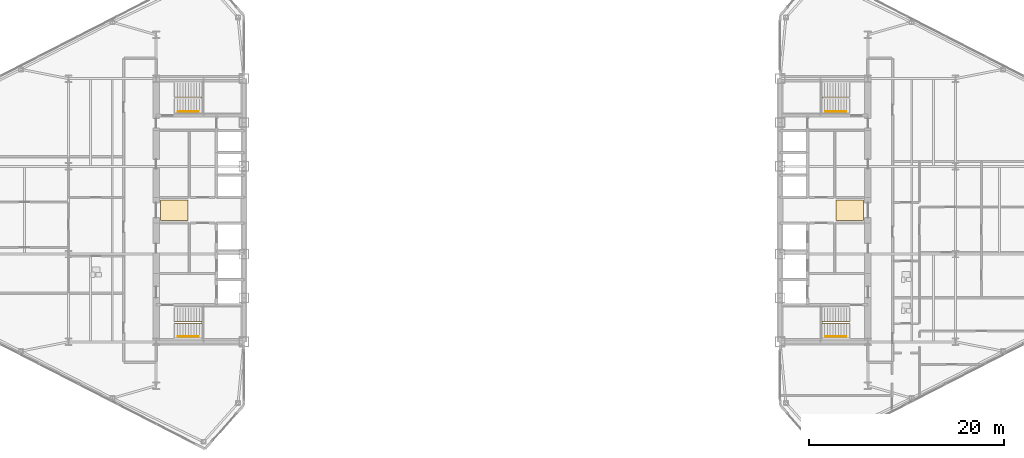
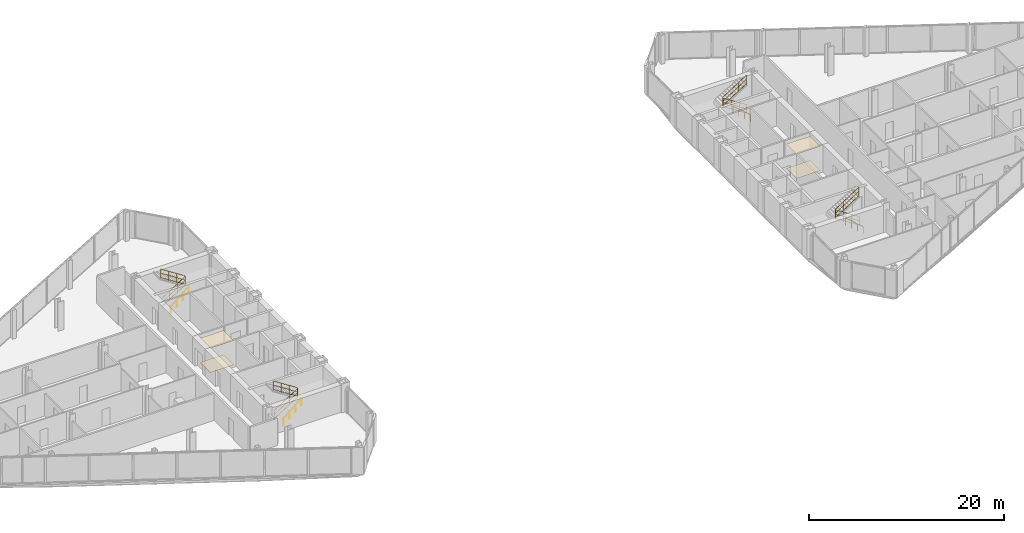
# One storey, part 22 of 23: 8 railings, 4 coverings.
"""IFC4 building model written with IfcOpenShell, lengths in metres."""

import ifcopenshell
import ifcopenshell.guid

model = None  # the IFC model being written
_history = None  # IfcOwnerHistory: only IFC2X3 demands one
_inside = {}  # id of a spatial element -> (the spatial element, [elements in it])
_under = {}  # id of a project, library or spatial element -> (it, [spatial elements below it])
_declared = {}  # id of a project -> (the project, [libraries it declares])
_typed = {}  # id of a type object -> (the type object, [elements of that type])
_made_of = {}  # id of a material, layer set ... -> (it, [elements and type objects made of it])


def new_model(schema):
    """Start an empty IFC model of exactly this schema.

    Asked for "IFC4X3", IfcOpenShell would pick the latest addendum, in which some entities
    have other attributes; the version numbers below select the first issue.
    IFC2X3 requires an IfcOwnerHistory on every rooted entity: one is made here for all.
    """
    global model, _history
    if schema == "IFC4X3":
        model = ifcopenshell.file(schema_version=(4, 3, 0, 0))
    else:
        model = ifcopenshell.file(schema=schema)
    _inside.clear()
    _under.clear()
    _declared.clear()
    _typed.clear()
    _made_of.clear()
    _history = None
    if model.schema == "IFC2X3":
        org = make("IfcOrganization", Name="unknown")
        user = make(
            "IfcPersonAndOrganization",
            ThePerson=make("IfcPerson", FamilyName="unknown"),
            TheOrganization=org,
        )
        app = make(
            "IfcApplication",
            ApplicationDeveloper=org,
            Version="unknown",
            ApplicationFullName="unknown",
            ApplicationIdentifier="unknown",
        )
        _history = make(
            "IfcOwnerHistory",
            OwningUser=user,
            OwningApplication=app,
            ChangeAction="ADDED",
            CreationDate=0,
        )
    return model


def make(cls, **values):
    """One entity of the class cls with the attributes given. An attribute that is None is left unset."""
    return model.create_entity(
        cls, **{name: value for name, value in values.items() if value is not None}
    )


def rooted(cls, **values):
    """An entity with a GlobalId (a new one), such as an element, a storey or a relation."""
    return make(cls, GlobalId=ifcopenshell.guid.new(), OwnerHistory=_history, **values)


def si_unit(unit_type, name, prefix=None):
    """IfcSIUnit, for example si_unit("LENGTHUNIT", "METRE", prefix="MILLI")."""
    return make("IfcSIUnit", UnitType=unit_type, Prefix=prefix, Name=name)


def assignment(units):
    """IfcUnitAssignment: the units of a project."""
    return None if units is None else make("IfcUnitAssignment", Units=units)


def point(xyz):
    """IfcCartesianPoint."""
    return None if xyz is None else make("IfcCartesianPoint", Coordinates=xyz)


def direction(xyz):
    """IfcDirection."""
    return None if xyz is None else make("IfcDirection", DirectionRatios=xyz)


def frame(location, z_axis=None, x_axis=None):
    """IfcAxis2Placement3D, a coordinate frame: its origin and axes. An axis left out is left unset."""
    return make(
        "IfcAxis2Placement3D",
        Location=point(location),
        Axis=direction(z_axis),
        RefDirection=direction(x_axis),
    )


def frame_2d(location, x_axis=None):
    """IfcAxis2Placement2D, a coordinate frame in the plane: its origin and x axis."""
    return make(
        "IfcAxis2Placement2D", Location=point(location), RefDirection=direction(x_axis)
    )


def origin():
    """The frame at (0, 0, 0) with its axes left unset."""
    return frame((0.0, 0.0, 0.0))


def origin_2d():
    """The frame at (0, 0) in the plane with its x axis left unset."""
    return frame_2d((0.0, 0.0))


def place(relative_to, where):
    """IfcLocalPlacement: puts the frame where relative to a parent placement (None: the world)."""
    return make(
        "IfcLocalPlacement", PlacementRelTo=relative_to, RelativePlacement=where
    )


def context(
    kind, dimensions, precision=None, world=None, true_north=None, identifier=None
):
    """IfcGeometricRepresentationContext, for example the 3D "Model" context."""
    return make(
        "IfcGeometricRepresentationContext",
        ContextIdentifier=identifier,
        ContextType=kind,
        CoordinateSpaceDimension=dimensions,
        Precision=precision,
        WorldCoordinateSystem=world,
        TrueNorth=true_north,
    )


def subcontext(parent, identifier, kind, view, scale=None):
    """IfcGeometricRepresentationSubContext, for example "Body" below "Model"."""
    return make(
        "IfcGeometricRepresentationSubContext",
        ContextIdentifier=identifier,
        ContextType=kind,
        ParentContext=parent,
        TargetScale=scale,
        TargetView=view,
    )


def project(units=None, contexts=None):
    """IfcProject with its units and contexts."""
    return rooted(
        "IfcProject",
        Name="project",
        RepresentationContexts=contexts,
        UnitsInContext=assignment(units),
    )


def spatial(cls, under=None, at=None, **own):
    """A site, building, storey or space (cls), placed at a placement, below another one or the project."""
    s = rooted(cls, ObjectPlacement=at, **own)
    if under is not None:
        _under.setdefault(under.id(), (under, []))[1].append(s)
    return s


def polyline(points):
    """IfcPolyline through the points."""
    return make("IfcPolyline", Points=[point(p) for p in points])


def profile(cls, at=None, kind="AREA", **sizes):
    """A parametric profile (cls). Its sizes go by their IFC names, for example OverallWidth=200.0."""
    return make(cls, ProfileType=kind, Position=at, **sizes)


def circle(**sizes):
    """IfcCircleProfileDef."""
    return profile("IfcCircleProfileDef", **sizes)


def outline(outer, holes=None, kind="AREA"):
    """IfcArbitraryClosedProfileDef: a profile drawn as a closed curve; with holes, ...WithVoids."""
    if holes is None:
        return make("IfcArbitraryClosedProfileDef", ProfileType=kind, OuterCurve=outer)
    return make(
        "IfcArbitraryProfileDefWithVoids",
        ProfileType=kind,
        OuterCurve=outer,
        InnerCurves=holes,
    )


def extrude(swept, where, along, depth):
    """IfcExtrudedAreaSolid: the profile swept, set in the frame where, extruded along a direction by depth."""
    return make(
        "IfcExtrudedAreaSolid",
        SweptArea=swept,
        Position=where,
        ExtrudedDirection=direction(along),
        Depth=depth,
    )


def shape(context_of_items, identifier, shape_type, items):
    """IfcShapeRepresentation: the items that make up one representation, for example the "Body"."""
    return make(
        "IfcShapeRepresentation",
        ContextOfItems=context_of_items,
        RepresentationIdentifier=identifier,
        RepresentationType=shape_type,
        Items=items,
    )


def material(Name=None, Category=None):
    """IfcMaterial."""
    return make("IfcMaterial", Name=Name, Category=Category)


def layer(
    of_material, thickness, ventilated=None, Name=None, Category=None, Priority=None
):
    """IfcMaterialLayer: one layer of a wall or slab, of a material (None: an air gap)."""
    return make(
        "IfcMaterialLayer",
        Material=of_material,
        LayerThickness=thickness,
        IsVentilated=ventilated,
        Name=Name,
        Category=Category,
        Priority=Priority,
    )


def layer_set(layers, Name=None):
    """IfcMaterialLayerSet."""
    return make("IfcMaterialLayerSet", MaterialLayers=layers, LayerSetName=Name)


def made_of(thing, what):
    """Note that an element or type object is made of a material, layer set ...; save() writes the relation."""
    if what is not None:
        _made_of.setdefault(what.id(), (what, []))[1].append(thing)
    return thing


def type_object(cls, material=None, **own):
    """A type object (cls), such as IfcWallType, which elements share."""
    return made_of(rooted(cls, **own), material)


def element(
    cls,
    number,
    at=None,
    inside=None,
    cuts=None,
    type_object=None,
    material=None,
    context=None,
    identifier="Body",
    shape_type=None,
    held_by="IfcProductDefinitionShape",
    body=None,
    shapes=None,
    **own,
):
    """One element of the class cls, such as IfcWall. Its Tag is "e" and its number.

    at: its placement. inside: the storey or other place that contains it. cuts: it is an
    opening in that element (IfcRelVoidsElement). A single representation is given by context,
    identifier, shape_type and body (its items); several are given by shapes. held_by: the class
    of the entity that holds the representations. save() writes the other relations.
    """
    e = rooted(cls, Tag="e%d" % number, ObjectPlacement=at, **own)
    if body is not None:
        shapes = [shape(context, identifier, shape_type, body)]
    if shapes is not None:
        e.Representation = make(held_by, Representations=shapes)
    if inside is not None:
        _inside.setdefault(inside.id(), (inside, []))[1].append(e)
    if cuts is not None:
        rooted(
            "IfcRelVoidsElement", RelatingBuildingElement=cuts, RelatedOpeningElement=e
        )
    if type_object is not None:
        _typed.setdefault(type_object.id(), (type_object, []))[1].append(e)
    return made_of(e, material)


def aggregate(whole, parts):
    """IfcRelAggregates: a whole, such as a stair, and the parts it consists of."""
    return rooted("IfcRelAggregates", RelatingObject=whole, RelatedObjects=parts)


def save(model, path):
    """Write the relations noted so far, then the file.

    IfcRelAggregates (storeys below a building ...), IfcRelContainedInSpatialStructure (elements
    in a storey), IfcRelDefinesByType, IfcRelAssociatesMaterial and IfcRelDeclares: one each for
    every whole, place, type object, material and project.
    """
    for whole, parts in _under.values():
        aggregate(whole, parts)
    for where, things in _inside.values():
        rooted(
            "IfcRelContainedInSpatialStructure",
            RelatedElements=things,
            RelatingStructure=where,
        )
    for kind, things in _typed.values():
        rooted("IfcRelDefinesByType", RelatedObjects=things, RelatingType=kind)
    for what, things in _made_of.values():
        rooted("IfcRelAssociatesMaterial", RelatedObjects=things, RelatingMaterial=what)
    for by, libraries in _declared.values():
        rooted("IfcRelDeclares", RelatingContext=by, RelatedDefinitions=libraries)
    model.write(path)


model = new_model("IFC4")

# Units and contexts
model_context = context("Model", 3, precision=1e-05, world=origin(), true_north=direction((0.0, 1.0)))
body_context = subcontext(model_context, "Body", "Model", "MODEL_VIEW")
ifc_project = project(units=[si_unit("LENGTHUNIT", "METRE"), si_unit("AREAUNIT", "SQUARE_METRE"), si_unit("VOLUMEUNIT", "CUBIC_METRE"), si_unit("PLANEANGLEUNIT", "RADIAN"), si_unit("MASSUNIT", "GRAM", prefix="KILO")], contexts=[model_context])

# Site, building, storey
site_placement = place(None, origin())
site = spatial("IfcSite", under=ifc_project, at=site_placement, CompositionType="ELEMENT")
building_placement = place(site_placement, origin())
building = spatial("IfcBuilding", under=site, at=building_placement, Name="Seokmaru Belvedere", CompositionType="ELEMENT")
storey_placement = place(building_placement, frame((0.0, 0.0, 128.39990234375)))
storey = spatial("IfcBuildingStorey", under=building, at=storey_placement, Name="L34", CompositionType="ELEMENT", Elevation=128.39990234375)

# Coverings
ifc_material_1 = material(Name="Engineered White Oak Timber", Category="wood")
ifc_layer_1 = layer(ifc_material_1, 0.02197265625)
ifc_layer_set_1 = layer_set([ifc_layer_1], Name="Engineered White Oak Timber")
covering_type_1 = type_object("IfcCoveringType", Name="Engineered Oak Residence Floor Finish 22", PredefinedType="FLOORING", material=ifc_layer_set_1)
covering_1_placement = place(storey_placement, origin())
element("IfcCovering", 1, at=covering_1_placement, inside=storey, type_object=covering_type_1, Name="L34 W Foyer Floor Finish", PredefinedType="FLOORING", context=body_context, shape_type="SweptSolid", body=[
    extrude(outline(polyline([(-36.050048828125, -1.050048828125), (-33.25, -1.050048828125), (-33.25, 1.050048828125), (-36.050048828125, 1.050048828125), (-36.050048828125, -1.050048828125)])), origin(), (0.0, 0.0, 1.0), 0.022216796875),
])
covering_2_placement = place(storey_placement, origin())
element("IfcCovering", 2, at=covering_2_placement, inside=storey, type_object=covering_type_1, Name="L34 E Foyer Floor Finish", PredefinedType="FLOORING", context=body_context, shape_type="SweptSolid", body=[
    extrude(outline(polyline([(33.25, -1.050048828125), (36.050048828125, -1.050048828125), (36.050048828125, 1.050048828125), (33.25, 1.050048828125), (33.25, -1.050048828125)])), origin(), (0.0, 0.0, 1.0), 0.022216796875),
])
ifc_material_2 = material(Name="Fire-Rated Gypsum Shaftwall")
ifc_layer_2 = layer(ifc_material_2, 0.02490234375)
ifc_layer_set_2 = layer_set([ifc_layer_2], Name="Fire-Rated Gypsum Shaftwall")
covering_type_2 = type_object("IfcCoveringType", Name="Perforated Acoustic Gypsum Suspended Ceiling 25", PredefinedType="CEILING", material=ifc_layer_set_2)
covering_3_placement = place(storey_placement, frame((0.0, 0.0, 3.030029296875)))
element("IfcCovering", 3, at=covering_3_placement, inside=storey, type_object=covering_type_2, Name="L34 W Lift Foyer Acoustic Ceiling", PredefinedType="CEILING", context=body_context, shape_type="SweptSolid", body=[
    extrude(outline(polyline([(-36.050048828125, -1.050048828125), (-33.25, -1.050048828125), (-33.25, 1.050048828125), (-36.050048828125, 1.050048828125), (-36.050048828125, -1.050048828125)])), origin(), (0.0, 0.0, 1.0), 0.025146484375),
])
covering_4_placement = place(storey_placement, frame((0.0, 0.0, 3.030029296875)))
element("IfcCovering", 4, at=covering_4_placement, inside=storey, type_object=covering_type_2, Name="L34 E Lift Foyer Acoustic Ceiling", PredefinedType="CEILING", context=body_context, shape_type="SweptSolid", body=[
    extrude(outline(polyline([(33.25, -1.050048828125), (36.050048828125, -1.050048828125), (36.050048828125, 1.050048828125), (33.25, 1.050048828125), (33.25, -1.050048828125)])), origin(), (0.0, 0.0, 1.0), 0.025146484375),
])

# Railings
ifc_material_3 = material(Name="Stainless Steel 316", Category="steel")
railing_type_1 = type_object("IfcRailingType", Name="Stainless Steel Wall and Flight Handrail 900", PredefinedType="HANDRAIL", material=ifc_material_3)
for number, where, name in (
    (5, (-34.25, -12.949951171875, 0.0), "L34 Stair ST-W1 Wall Handrail"),
    (6, (-34.25, 10.110107421875, 0.0), "L34 Stair ST-W2 Wall Handrail"),
):
    element("IfcRailing", number, at=place(storey_placement, frame(where)), inside=storey, type_object=railing_type_1, Name=name, PredefinedType="HANDRAIL", context=body_context, shape_type="SweptSolid", body=[
        extrude(circle(Radius=0.02392578125, at=origin_2d()), frame((0.0, 0.0, 0.8759765625), z_axis=(0.759262832861, 0.0, 0.650784104474), x_axis=(0.0, 1.0, 0.0)), (0.0, 0.0, 1.0), 2.765869140625),
        extrude(circle(Radius=0.02099609375, at=origin_2d()), origin(), (0.0, 0.0, 1.0), 0.851806640625),
        extrude(circle(Radius=0.02099609375, at=origin_2d()), frame((0.699951171875, 0.0, 0.60009765625)), (0.0, 0.0, 1.0), 0.851806640625),
        extrude(circle(Radius=0.02099609375, at=origin_2d()), frame((1.400146484375, 0.0, 1.199951171875)), (0.0, 0.0, 1.0), 0.851806640625),
        extrude(circle(Radius=0.02099609375, at=origin_2d()), frame((2.10009765625, 0.0, 1.800048828125)), (0.0, 0.0, 1.0), 0.851806640625),
    ])
for number, where, name in (
    (7, (34.25, -12.949951171875, 0.0), "L34 Stair ST-E1 Wall Handrail"),
    (8, (34.25, 10.110107421875, 0.0), "L34 Stair ST-E2 Wall Handrail"),
):
    element("IfcRailing", number, at=place(storey_placement, frame(where)), inside=storey, type_object=railing_type_1, Name=name, PredefinedType="HANDRAIL", context=body_context, shape_type="SweptSolid", body=[
        extrude(circle(Radius=0.02392578125, at=origin_2d()), frame((0.0, 0.0, 0.8759765625), z_axis=(-0.759262832861, 0.0, 0.650784104474), x_axis=(0.0, -1.0, 0.0)), (0.0, 0.0, 1.0), 2.765869140625),
        extrude(circle(Radius=0.02099609375, at=origin_2d()), origin(), (0.0, 0.0, 1.0), 0.851806640625),
        extrude(circle(Radius=0.02099609375, at=origin_2d()), frame((-0.699951171875, 0.0, 0.60009765625)), (0.0, 0.0, 1.0), 0.851806640625),
        extrude(circle(Radius=0.02099609375, at=origin_2d()), frame((-1.400146484375, 0.0, 1.199951171875)), (0.0, 0.0, 1.0), 0.851806640625),
        extrude(circle(Radius=0.02099609375, at=origin_2d()), frame((-2.10009765625, 0.0, 1.800048828125)), (0.0, 0.0, 1.0), 0.851806640625),
    ])
railing_type_2 = type_object("IfcRailingType", Name="Stair Well and Atrium Steel Guardrail 1200", PredefinedType="GUARDRAIL", material=ifc_material_3)
railing_1_placement = place(storey_placement, frame((-34.60009765625, -11.60009765625, 0.0)))
element("IfcRailing", 9, at=railing_1_placement, inside=storey, type_object=railing_type_2, Name="L34 Stair ST-W1 Inner Well Guardrail", PredefinedType="GUARDRAIL", context=body_context, shape_type="SweptSolid", body=[
    extrude(circle(Radius=0.02392578125, at=origin_2d()), frame((0.0, 0.0, 1.17578125), z_axis=(0.841176092368, 0.0, 0.540761298198), x_axis=(0.0, 1.0, 0.0)), (0.0, 0.0, 1.0), 3.32861328125),
    extrude(circle(Radius=0.02392578125, at=origin_2d()), frame((0.0, 0.0, 0.1201171875), z_axis=(0.841176092368, 0.0, 0.540761298198), x_axis=(0.0, 1.0, 0.0)), (0.0, 0.0, 1.0), 3.32861328125),
    extrude(circle(Radius=0.02392578125, at=origin_2d()), frame((0.0, 0.0, 0.659912109375), z_axis=(0.841176092368, 0.0, 0.540761298198), x_axis=(0.0, 1.0, 0.0)), (0.0, 0.0, 1.0), 3.32861328125),
    extrude(circle(Radius=0.02392578125, at=origin_2d()), frame((2.800048828125, 0.0, 2.97607421875), z_axis=(0.0, 1.0, 0.0), x_axis=(-1.0, 0.0, 0.0)), (0.0, 0.0, 1.0), 0.14013671875),
    extrude(circle(Radius=0.02392578125, at=origin_2d()), frame((2.800048828125, 0.0, 1.920166015625), z_axis=(0.0, 1.0, 0.0), x_axis=(-1.0, 0.0, 0.0)), (0.0, 0.0, 1.0), 0.14013671875),
    extrude(circle(Radius=0.02392578125, at=origin_2d()), frame((2.800048828125, 0.0, 2.4599609375), z_axis=(0.0, 1.0, 0.0), x_axis=(-1.0, 0.0, 0.0)), (0.0, 0.0, 1.0), 0.14013671875),
    extrude(circle(Radius=0.02392578125, at=origin_2d()), frame((2.800048828125, 0.14013671875, 2.97607421875), z_axis=(-0.841176092368, 0.0, 0.540761298198), x_axis=(0.0, -1.0, 0.0)), (0.0, 0.0, 1.0), 3.32861328125),
    extrude(circle(Radius=0.02392578125, at=origin_2d()), frame((2.800048828125, 0.14013671875, 1.920166015625), z_axis=(-0.841176092368, 0.0, 0.540761298198), x_axis=(0.0, -1.0, 0.0)), (0.0, 0.0, 1.0), 3.32861328125),
    extrude(circle(Radius=0.02392578125, at=origin_2d()), frame((2.800048828125, 0.14013671875, 2.4599609375), z_axis=(-0.841176092368, 0.0, 0.540761298198), x_axis=(0.0, -1.0, 0.0)), (0.0, 0.0, 1.0), 3.32861328125),
    extrude(circle(Radius=0.02099609375, at=origin_2d()), origin(), (0.0, 0.0, 1.0), 1.15185546875),
    extrude(circle(Radius=0.02099609375, at=origin_2d()), frame((0.933349609375, 0.0, 0.60009765625)), (0.0, 0.0, 1.0), 1.15185546875),
    extrude(circle(Radius=0.02099609375, at=origin_2d()), frame((1.86669921875, 0.0, 1.199951171875)), (0.0, 0.0, 1.0), 1.15185546875),
    extrude(circle(Radius=0.02099609375, at=origin_2d()), frame((2.800048828125, 0.0, 1.800048828125)), (0.0, 0.0, 1.0), 1.15185546875),
    extrude(circle(Radius=0.02099609375, at=origin_2d()), frame((2.800048828125, 0.14013671875, 1.800048828125)), (0.0, 0.0, 1.0), 1.15185546875),
    extrude(circle(Radius=0.02099609375, at=origin_2d()), frame((1.86669921875, 0.14013671875, 2.400146484375)), (0.0, 0.0, 1.0), 1.15185546875),
    extrude(circle(Radius=0.02099609375, at=origin_2d()), frame((0.933349609375, 0.14013671875, 3.0)), (0.0, 0.0, 1.0), 1.15185546875),
    extrude(circle(Radius=0.02099609375, at=origin_2d()), frame((0.0, 0.14013671875, 3.60009765625)), (0.0, 0.0, 1.0), 1.15185546875),
])
railing_2_placement = place(storey_placement, frame((-34.60009765625, 11.4599609375, 0.0)))
element("IfcRailing", 10, at=railing_2_placement, inside=storey, type_object=railing_type_2, Name="L34 Stair ST-W2 Inner Well Guardrail", PredefinedType="GUARDRAIL", context=body_context, shape_type="SweptSolid", body=[
    extrude(circle(Radius=0.02392578125, at=origin_2d()), frame((0.0, 0.0, 1.17578125), z_axis=(0.841176092368, 0.0, 0.540761298198), x_axis=(0.0, 1.0, 0.0)), (0.0, 0.0, 1.0), 3.32861328125),
    extrude(circle(Radius=0.02392578125, at=origin_2d()), frame((0.0, 0.0, 0.1201171875), z_axis=(0.841176092368, 0.0, 0.540761298198), x_axis=(0.0, 1.0, 0.0)), (0.0, 0.0, 1.0), 3.32861328125),
    extrude(circle(Radius=0.02392578125, at=origin_2d()), frame((0.0, 0.0, 0.659912109375), z_axis=(0.841176092368, 0.0, 0.540761298198), x_axis=(0.0, 1.0, 0.0)), (0.0, 0.0, 1.0), 3.32861328125),
    extrude(circle(Radius=0.02392578125, at=origin_2d()), frame((2.800048828125, 0.0, 2.97607421875), z_axis=(0.0, 1.0, 0.0), x_axis=(-1.0, 0.0, 0.0)), (0.0, 0.0, 1.0), 0.14013671875),
    extrude(circle(Radius=0.02392578125, at=origin_2d()), frame((2.800048828125, 0.0, 1.920166015625), z_axis=(0.0, 1.0, 0.0), x_axis=(-1.0, 0.0, 0.0)), (0.0, 0.0, 1.0), 0.14013671875),
    extrude(circle(Radius=0.02392578125, at=origin_2d()), frame((2.800048828125, 0.0, 2.4599609375), z_axis=(0.0, 1.0, 0.0), x_axis=(-1.0, 0.0, 0.0)), (0.0, 0.0, 1.0), 0.14013671875),
    extrude(circle(Radius=0.02392578125, at=origin_2d()), frame((2.800048828125, 0.14013671875, 2.97607421875), z_axis=(-0.841176092368, 0.0, 0.540761298198), x_axis=(0.0, -1.0, 0.0)), (0.0, 0.0, 1.0), 3.32861328125),
    extrude(circle(Radius=0.02392578125, at=origin_2d()), frame((2.800048828125, 0.14013671875, 1.920166015625), z_axis=(-0.841176092368, 0.0, 0.540761298198), x_axis=(0.0, -1.0, 0.0)), (0.0, 0.0, 1.0), 3.32861328125),
    extrude(circle(Radius=0.02392578125, at=origin_2d()), frame((2.800048828125, 0.14013671875, 2.4599609375), z_axis=(-0.841176092368, 0.0, 0.540761298198), x_axis=(0.0, -1.0, 0.0)), (0.0, 0.0, 1.0), 3.32861328125),
    extrude(circle(Radius=0.02099609375, at=origin_2d()), origin(), (0.0, 0.0, 1.0), 1.15185546875),
    extrude(circle(Radius=0.02099609375, at=origin_2d()), frame((0.933349609375, 0.0, 0.60009765625)), (0.0, 0.0, 1.0), 1.15185546875),
    extrude(circle(Radius=0.02099609375, at=origin_2d()), frame((1.86669921875, 0.0, 1.199951171875)), (0.0, 0.0, 1.0), 1.15185546875),
    extrude(circle(Radius=0.02099609375, at=origin_2d()), frame((2.800048828125, 0.0, 1.800048828125)), (0.0, 0.0, 1.0), 1.15185546875),
    extrude(circle(Radius=0.02099609375, at=origin_2d()), frame((2.800048828125, 0.14013671875, 1.800048828125)), (0.0, 0.0, 1.0), 1.15185546875),
    extrude(circle(Radius=0.02099609375, at=origin_2d()), frame((1.86669921875, 0.14013671875, 2.400146484375)), (0.0, 0.0, 1.0), 1.15185546875),
    extrude(circle(Radius=0.02099609375, at=origin_2d()), frame((0.933349609375, 0.14013671875, 3.0)), (0.0, 0.0, 1.0), 1.15185546875),
    extrude(circle(Radius=0.02099609375, at=origin_2d()), frame((0.0, 0.14013671875, 3.60009765625)), (0.0, 0.0, 1.0), 1.15185546875),
])
railing_3_placement = place(storey_placement, frame((34.60009765625, -11.60009765625, 0.0)))
element("IfcRailing", 11, at=railing_3_placement, inside=storey, type_object=railing_type_2, Name="L34 Stair ST-E1 Inner Well Guardrail", PredefinedType="GUARDRAIL", context=body_context, shape_type="SweptSolid", body=[
    extrude(circle(Radius=0.02392578125, at=origin_2d()), frame((0.0, 0.0, 1.17578125), z_axis=(-0.841176092368, 0.0, 0.540761298198), x_axis=(0.0, -1.0, 0.0)), (0.0, 0.0, 1.0), 3.32861328125),
    extrude(circle(Radius=0.02392578125, at=origin_2d()), frame((0.0, 0.0, 0.1201171875), z_axis=(-0.841176092368, 0.0, 0.540761298198), x_axis=(0.0, -1.0, 0.0)), (0.0, 0.0, 1.0), 3.32861328125),
    extrude(circle(Radius=0.02392578125, at=origin_2d()), frame((0.0, 0.0, 0.659912109375), z_axis=(-0.841176092368, 0.0, 0.540761298198), x_axis=(0.0, -1.0, 0.0)), (0.0, 0.0, 1.0), 3.32861328125),
    extrude(circle(Radius=0.02392578125, at=origin_2d()), frame((-2.800048828125, 0.0, 2.97607421875), z_axis=(0.0, 1.0, 0.0), x_axis=(-1.0, 0.0, 0.0)), (0.0, 0.0, 1.0), 0.14013671875),
    extrude(circle(Radius=0.02392578125, at=origin_2d()), frame((-2.800048828125, 0.0, 1.920166015625), z_axis=(0.0, 1.0, 0.0), x_axis=(-1.0, 0.0, 0.0)), (0.0, 0.0, 1.0), 0.14013671875),
    extrude(circle(Radius=0.02392578125, at=origin_2d()), frame((-2.800048828125, 0.0, 2.4599609375), z_axis=(0.0, 1.0, 0.0), x_axis=(-1.0, 0.0, 0.0)), (0.0, 0.0, 1.0), 0.14013671875),
    extrude(circle(Radius=0.02392578125, at=origin_2d()), frame((-2.800048828125, 0.14013671875, 2.97607421875), z_axis=(0.841176092368, 0.0, 0.540761298198), x_axis=(0.0, 1.0, 0.0)), (0.0, 0.0, 1.0), 3.32861328125),
    extrude(circle(Radius=0.02392578125, at=origin_2d()), frame((-2.800048828125, 0.14013671875, 1.920166015625), z_axis=(0.841176092368, 0.0, 0.540761298198), x_axis=(0.0, 1.0, 0.0)), (0.0, 0.0, 1.0), 3.32861328125),
    extrude(circle(Radius=0.02392578125, at=origin_2d()), frame((-2.800048828125, 0.14013671875, 2.4599609375), z_axis=(0.841176092368, 0.0, 0.540761298198), x_axis=(0.0, 1.0, 0.0)), (0.0, 0.0, 1.0), 3.32861328125),
    extrude(circle(Radius=0.02099609375, at=origin_2d()), origin(), (0.0, 0.0, 1.0), 1.15185546875),
    extrude(circle(Radius=0.02099609375, at=origin_2d()), frame((-0.933349609375, 0.0, 0.60009765625)), (0.0, 0.0, 1.0), 1.15185546875),
    extrude(circle(Radius=0.02099609375, at=origin_2d()), frame((-1.86669921875, 0.0, 1.199951171875)), (0.0, 0.0, 1.0), 1.15185546875),
    extrude(circle(Radius=0.02099609375, at=origin_2d()), frame((-2.800048828125, 0.0, 1.800048828125)), (0.0, 0.0, 1.0), 1.15185546875),
    extrude(circle(Radius=0.02099609375, at=origin_2d()), frame((-2.800048828125, 0.14013671875, 1.800048828125)), (0.0, 0.0, 1.0), 1.15185546875),
    extrude(circle(Radius=0.02099609375, at=origin_2d()), frame((-1.86669921875, 0.14013671875, 2.400146484375)), (0.0, 0.0, 1.0), 1.15185546875),
    extrude(circle(Radius=0.02099609375, at=origin_2d()), frame((-0.933349609375, 0.14013671875, 3.0)), (0.0, 0.0, 1.0), 1.15185546875),
    extrude(circle(Radius=0.02099609375, at=origin_2d()), frame((0.0, 0.14013671875, 3.60009765625)), (0.0, 0.0, 1.0), 1.15185546875),
])
railing_4_placement = place(storey_placement, frame((34.60009765625, 11.4599609375, 0.0)))
element("IfcRailing", 12, at=railing_4_placement, inside=storey, type_object=railing_type_2, Name="L34 Stair ST-E2 Inner Well Guardrail", PredefinedType="GUARDRAIL", context=body_context, shape_type="SweptSolid", body=[
    extrude(circle(Radius=0.02392578125, at=origin_2d()), frame((0.0, 0.0, 1.17578125), z_axis=(-0.841176092368, 0.0, 0.540761298198), x_axis=(0.0, -1.0, 0.0)), (0.0, 0.0, 1.0), 3.32861328125),
    extrude(circle(Radius=0.02392578125, at=origin_2d()), frame((0.0, 0.0, 0.1201171875), z_axis=(-0.841176092368, 0.0, 0.540761298198), x_axis=(0.0, -1.0, 0.0)), (0.0, 0.0, 1.0), 3.32861328125),
    extrude(circle(Radius=0.02392578125, at=origin_2d()), frame((0.0, 0.0, 0.659912109375), z_axis=(-0.841176092368, 0.0, 0.540761298198), x_axis=(0.0, -1.0, 0.0)), (0.0, 0.0, 1.0), 3.32861328125),
    extrude(circle(Radius=0.02392578125, at=origin_2d()), frame((-2.800048828125, 0.0, 2.97607421875), z_axis=(0.0, 1.0, 0.0), x_axis=(-1.0, 0.0, 0.0)), (0.0, 0.0, 1.0), 0.14013671875),
    extrude(circle(Radius=0.02392578125, at=origin_2d()), frame((-2.800048828125, 0.0, 1.920166015625), z_axis=(0.0, 1.0, 0.0), x_axis=(-1.0, 0.0, 0.0)), (0.0, 0.0, 1.0), 0.14013671875),
    extrude(circle(Radius=0.02392578125, at=origin_2d()), frame((-2.800048828125, 0.0, 2.4599609375), z_axis=(0.0, 1.0, 0.0), x_axis=(-1.0, 0.0, 0.0)), (0.0, 0.0, 1.0), 0.14013671875),
    extrude(circle(Radius=0.02392578125, at=origin_2d()), frame((-2.800048828125, 0.14013671875, 2.97607421875), z_axis=(0.841176092368, 0.0, 0.540761298198), x_axis=(0.0, 1.0, 0.0)), (0.0, 0.0, 1.0), 3.32861328125),
    extrude(circle(Radius=0.02392578125, at=origin_2d()), frame((-2.800048828125, 0.14013671875, 1.920166015625), z_axis=(0.841176092368, 0.0, 0.540761298198), x_axis=(0.0, 1.0, 0.0)), (0.0, 0.0, 1.0), 3.32861328125),
    extrude(circle(Radius=0.02392578125, at=origin_2d()), frame((-2.800048828125, 0.14013671875, 2.4599609375), z_axis=(0.841176092368, 0.0, 0.540761298198), x_axis=(0.0, 1.0, 0.0)), (0.0, 0.0, 1.0), 3.32861328125),
    extrude(circle(Radius=0.02099609375, at=origin_2d()), origin(), (0.0, 0.0, 1.0), 1.15185546875),
    extrude(circle(Radius=0.02099609375, at=origin_2d()), frame((-0.933349609375, 0.0, 0.60009765625)), (0.0, 0.0, 1.0), 1.15185546875),
    extrude(circle(Radius=0.02099609375, at=origin_2d()), frame((-1.86669921875, 0.0, 1.199951171875)), (0.0, 0.0, 1.0), 1.15185546875),
    extrude(circle(Radius=0.02099609375, at=origin_2d()), frame((-2.800048828125, 0.0, 1.800048828125)), (0.0, 0.0, 1.0), 1.15185546875),
    extrude(circle(Radius=0.02099609375, at=origin_2d()), frame((-2.800048828125, 0.14013671875, 1.800048828125)), (0.0, 0.0, 1.0), 1.15185546875),
    extrude(circle(Radius=0.02099609375, at=origin_2d()), frame((-1.86669921875, 0.14013671875, 2.400146484375)), (0.0, 0.0, 1.0), 1.15185546875),
    extrude(circle(Radius=0.02099609375, at=origin_2d()), frame((-0.933349609375, 0.14013671875, 3.0)), (0.0, 0.0, 1.0), 1.15185546875),
    extrude(circle(Radius=0.02099609375, at=origin_2d()), frame((0.0, 0.14013671875, 3.60009765625)), (0.0, 0.0, 1.0), 1.15185546875),
])

save(model, "model.ifc")
